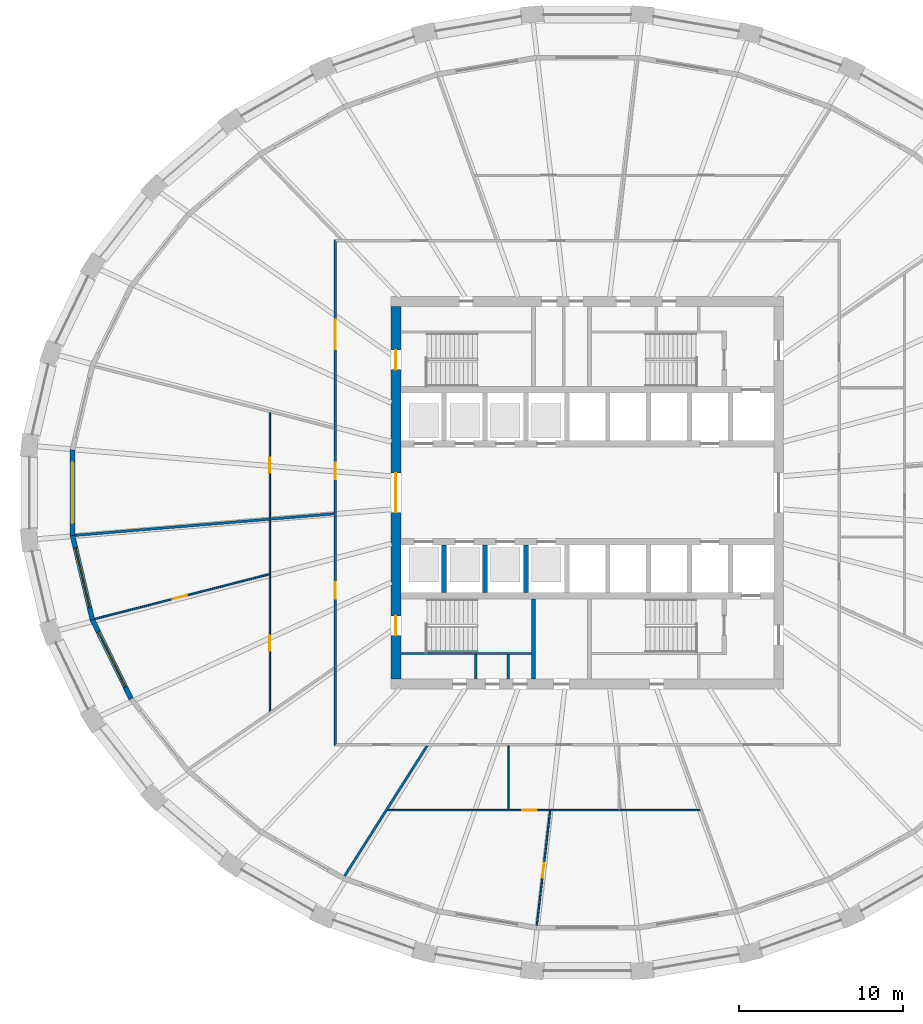
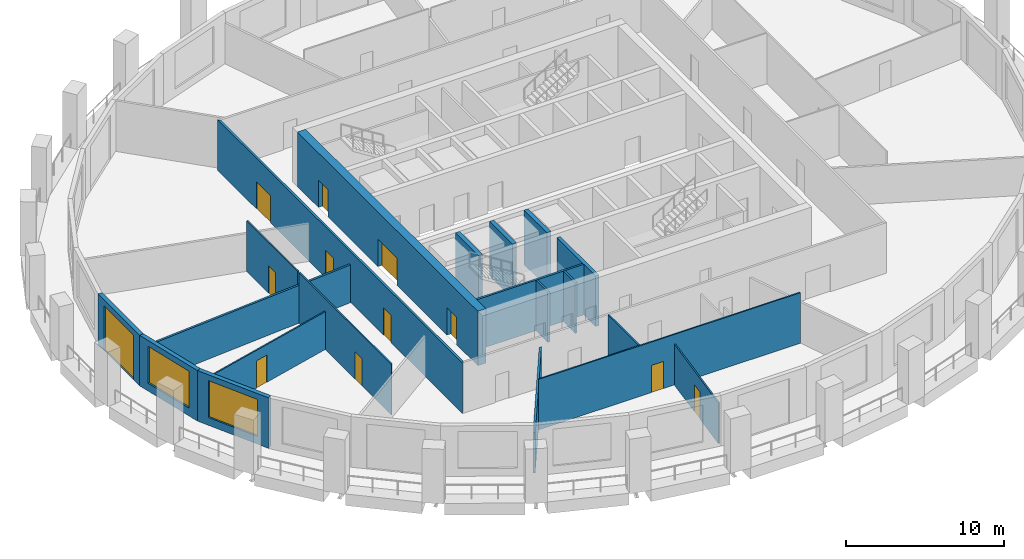
# One storey, part 3 of 11: 20 walls, 12 doors, 2 windows, 14 openings.
"""IFC4 building model written with IfcOpenShell, lengths in metres."""

from ifc_helpers import new_model, si_unit, direction, frame, frame_2d, origin, place, context, subcontext, project, spatial, polyline, rectangle, outline, extrude, material, layer, layer_set, type_object, element, fill, save


model = new_model("IFC4")

# Units and contexts
model_context = context("Model", 3, precision=1e-05, world=origin(), true_north=direction((0.0, 1.0)))
body_context = subcontext(model_context, "Body", "Model", "MODEL_VIEW")
ifc_project = project(units=[si_unit("LENGTHUNIT", "METRE"), si_unit("AREAUNIT", "SQUARE_METRE"), si_unit("VOLUMEUNIT", "CUBIC_METRE"), si_unit("PLANEANGLEUNIT", "RADIAN"), si_unit("MASSUNIT", "GRAM", prefix="KILO")], contexts=[model_context])

# Site, building, storey
site_placement = place(None, origin())
site = spatial("IfcSite", under=ifc_project, at=site_placement, CompositionType="ELEMENT")
building_placement = place(site_placement, origin())
building = spatial("IfcBuilding", under=site, at=building_placement, Name="Halqa Exchange Tower", CompositionType="ELEMENT")
storey_placement = place(building_placement, frame((0.0, 0.0, 146.5)))
storey = spatial("IfcBuildingStorey", under=building, at=storey_placement, Name="L33", CompositionType="ELEMENT", Elevation=146.5)

# Wall
ifc_material_1 = material(Name="Fire-rated gypsum board")
ifc_layer_1 = layer(ifc_material_1, 0.14990234375)
ifc_layer_set_1 = layer_set([ifc_layer_1], Name="Fire-rated gypsum board")
wall_type_1 = type_object("IfcWallType", Name="Fire partition EI 60 150", PredefinedType="PARTITIONING", material=ifc_layer_set_1)
wall_1_placement = place(storey_placement, frame((-31.304931640625, -2.6044921875, 0.0), z_axis=(0.0, 0.0, 1.0), x_axis=(0.996551160003, 0.082980633261, 0.0)))
element("IfcWall", 1, at=wall_1_placement, inside=storey, type_object=wall_type_1, Name="L33-PWL-001", PredefinedType="PARTITIONING", context=body_context, shape_type="SweptSolid", body=[
    extrude(outline(polyline([(0.004638671875, -0.074951171875), (1.9853515625, -0.074951171875), (3.96630859375, -0.074951171875), (5.947265625, -0.074951171875), (7.927978515625, -0.074951171875), (9.908935546875, -0.074951171875), (11.8896484375, -0.074951171875), (11.8896484375, -0.074951171875), (11.890625, -0.074951171875), (13.884521484375, -0.074951171875), (15.87841796875, -0.074951171875), (15.890380859375, 0.068115234375), (15.890380859375, 0.074951171875), (13.904052734375, 0.074951171875), (11.917724609375, 0.074951171875), (9.931396484375, 0.074951171875), (7.9453125, 0.074951171875), (5.958984375, 0.074951171875), (3.97265625, 0.074951171875), (1.986328125, 0.074951171875), (0.0, 0.074951171875), (0.0, -0.044189453125), (0.004638671875, -0.074951171875)])), origin(), (0.0, 0.0, 1.0), 2.909912109375),
])

# Wall, openings, doors
wall_2_placement = place(storey_placement, frame((-15.39990234375, -15.47509765625, 0.0), z_axis=(0.0, 0.0, 1.0), x_axis=(0.0, 1.0, 0.0)))
wall_2 = element("IfcWall", 2, at=wall_2_placement, inside=storey, type_object=wall_type_1, Name="L33-PWL-007", PredefinedType="PARTITIONING", context=body_context, shape_type="SweptSolid", body=[
    extrude(outline(polyline([(0.150146484375, -0.074951171875), (2.065673828125, -0.074951171875), (3.9814453125, -0.074951171875), (5.89697265625, -0.074951171875), (7.8125, -0.074951171875), (9.728271484375, -0.074951171875), (11.643798828125, -0.074951171875), (13.5595703125, -0.074951171875), (15.47509765625, -0.074951171875), (17.390625, -0.074951171875), (19.306396484375, -0.074951171875), (21.221923828125, -0.074951171875), (23.1376953125, -0.074951171875), (25.05322265625, -0.074951171875), (26.96875, -0.074951171875), (28.884521484375, -0.074951171875), (30.800048828125, -0.074951171875), (30.949951171875, 0.074951171875), (29.015625, 0.074951171875), (27.081298828125, 0.074951171875), (25.14697265625, 0.074951171875), (23.21240234375, 0.074951171875), (21.278076171875, 0.074951171875), (19.34375, 0.074951171875), (17.409423828125, 0.074951171875), (15.47509765625, 0.074951171875), (13.540771484375, 0.074951171875), (11.6064453125, 0.074951171875), (9.672119140625, 0.074951171875), (7.73779296875, 0.074951171875), (5.80322265625, 0.074951171875), (3.868896484375, 0.074951171875), (1.9345703125, 0.074951171875), (0.000244140625, 0.074951171875), (0.150146484375, -0.074951171875)])), origin(), (0.0, 0.0, 1.0), 3.89990234375),
])
opening_1_placement = place(wall_2_placement, frame((24.2451171875, 0.0, 0.0)))
opening_1 = element("IfcOpeningElement", 3, at=opening_1_placement, cuts=wall_2, Name="Opening 10-08", PredefinedType="OPENING", context=body_context, shape_type="SweptSolid", body=[
    extrude(rectangle(XDim=1.800048828125, YDim=2.10009765625, at=frame_2d((0.89990234375, 1.050048828125))), frame((0.0, 0.0869140625, 0.0), z_axis=(0.0, -1.0, 0.0), x_axis=(1.0, 0.0, 0.0)), (0.0, 0.0, 1.0), 0.173828125),
])
opening_2_placement = place(wall_2_placement, frame((16.304931640625, 0.0, 0.0)))
opening_2 = element("IfcOpeningElement", 4, at=opening_2_placement, cuts=wall_2, Name="Opening 10-09", PredefinedType="OPENING", context=body_context, shape_type="SweptSolid", body=[
    extrude(rectangle(XDim=1.0, YDim=2.10009765625, at=frame_2d((0.5, 1.050048828125))), frame((0.0, 0.0869140625, 0.0), z_axis=(0.0, -1.0, 0.0), x_axis=(1.0, 0.0, 0.0)), (0.0, 0.0, 1.0), 0.173828125),
])
opening_3_placement = place(wall_2_placement, frame((9.0, 0.0, 0.0)))
opening_3 = element("IfcOpeningElement", 5, at=opening_3_placement, cuts=wall_2, Name="Opening 10-10", PredefinedType="OPENING", context=body_context, shape_type="SweptSolid", body=[
    extrude(rectangle(XDim=1.0, YDim=2.10009765625, at=frame_2d((0.5, 1.050048828125))), frame((0.0, 0.0869140625, 0.0), z_axis=(0.0, -1.0, 0.0), x_axis=(1.0, 0.0, 0.0)), (0.0, 0.0, 1.0), 0.173828125),
])
ifc_material_2 = material(Name="Steel fire door leaf", Category="steel")
door_type_1 = type_object("IfcDoorType", Name="Fire door FD30S 1000 x 2100", OperationType="SINGLE_SWING_LEFT", PredefinedType="DOOR", material=ifc_material_2)
door_1_placement = place(opening_2_placement, origin())
door_1 = element("IfcDoor", 6, at=door_1_placement, inside=storey, type_object=door_type_1, Name="L33-IDR-009", OperationType="SINGLE_SWING_RIGHT", OverallHeight=2.10009765625, OverallWidth=1.0, PredefinedType="DOOR", context=body_context, shape_type="SweptSolid", body=[
    extrude(rectangle(XDim=1.0, YDim=2.10009765625, at=frame_2d((0.5, 1.050048828125))), frame((0.0, 0.02490234375, 0.0), z_axis=(0.0, -1.0, 0.0), x_axis=(1.0, 0.0, 0.0)), (0.0, 0.0, 1.0), 0.050048828125),
])
fill(opening_2, door_1)
door_2_placement = place(opening_3_placement, origin())
door_2 = element("IfcDoor", 7, at=door_2_placement, inside=storey, type_object=door_type_1, Name="L33-IDR-010", OperationType="SINGLE_SWING_LEFT", OverallHeight=2.10009765625, OverallWidth=1.0, PredefinedType="DOOR", context=body_context, shape_type="SweptSolid", body=[
    extrude(rectangle(XDim=1.0, YDim=2.10009765625, at=frame_2d((0.5, 1.050048828125))), frame((0.0, 0.02490234375, 0.0), z_axis=(0.0, -1.0, 0.0), x_axis=(1.0, 0.0, 0.0)), (0.0, 0.0, 1.0), 0.050048828125),
])
fill(opening_3, door_2)
door_type_2 = type_object("IfcDoorType", Name="Fire door FD30S double 1800 x 2100", OperationType="DOUBLE_DOOR_SINGLE_SWING", PredefinedType="DOOR", material=ifc_material_2)
door_3_placement = place(opening_1_placement, origin())
door_3 = element("IfcDoor", 8, at=door_3_placement, inside=storey, type_object=door_type_2, Name="L33-IDR-008", OperationType="DOUBLE_DOOR_SINGLE_SWING", OverallHeight=2.10009765625, OverallWidth=1.800048828125, PredefinedType="DOOR", context=body_context, shape_type="SweptSolid", body=[
    extrude(rectangle(XDim=1.800048828125, YDim=2.10009765625, at=frame_2d((0.89990234375, 1.050048828125))), frame((0.0, 0.02490234375, 0.0), z_axis=(0.0, -1.0, 0.0), x_axis=(1.0, 0.0, 0.0)), (0.0, 0.0, 1.0), 0.050048828125),
])
fill(opening_1, door_3)

# Wall
wall_3_placement = place(storey_placement, frame((-14.836669921875, -23.432373046875, 0.0), z_axis=(0.0, 0.0, 1.0), x_axis=(0.535485065479, 0.844544696655, 0.0)))
element("IfcWall", 9, at=wall_3_placement, inside=storey, type_object=wall_type_1, Name="L33-PWL-011", PredefinedType="PARTITIONING", context=body_context, shape_type="SweptSolid", body=[
    extrude(outline(polyline([(0.020263671875, -0.074951171875), (1.638671875, -0.074951171875), (3.25732421875, -0.074951171875), (4.875732421875, -0.074951171875), (4.879638671875, -0.072509765625), (4.88134765625, -0.074951171875), (6.41064453125, -0.074951171875), (7.939697265625, -0.074951171875), (9.468994140625, -0.074951171875), (9.468994140625, -0.073974609375), (9.37451171875, 0.074951171875), (7.499755859375, 0.074951171875), (5.624755859375, 0.074951171875), (3.749755859375, 0.074951171875), (1.875, 0.074951171875), (0.0, 0.074951171875), (0.0, 0.066162109375), (0.003662109375, -0.003662109375), (0.020263671875, -0.074951171875)])), origin(), (0.0, 0.0, 1.0), 3.14697265625),
])

# Wall, opening, door
ifc_material_3 = material(Name="Gypsum board")
ifc_layer_2 = layer(ifc_material_3, 0.10009765625)
ifc_layer_set_2 = layer_set([ifc_layer_2], Name="Gypsum board")
wall_type_2 = type_object("IfcWallType", Name="Partition 100 gypsum", PredefinedType="PARTITIONING", material=ifc_layer_set_2)
wall_4_placement = place(storey_placement, frame((-19.39990234375, -13.387451171875, 0.0), z_axis=(0.0, 0.0, 1.0), x_axis=(0.0, 1.0, 0.0)))
wall_4 = element("IfcWall", 10, at=wall_4_placement, inside=storey, type_object=wall_type_2, Name="L33-PWL-004", PredefinedType="PARTITIONING", context=body_context, shape_type="SweptSolid", body=[
    extrude(outline(polyline([(11.702880859375, -0.050048828125), (11.702880859375, -0.0458984375), (11.69482421875, 0.050048828125), (10.02783203125, 0.050048828125), (8.360595703125, 0.050048828125), (8.353515625, 0.048095703125), (8.35302734375, 0.050048828125), (6.682373046875, 0.050048828125), (5.01171875, 0.050048828125), (3.34130859375, 0.050048828125), (1.670654296875, 0.050048828125), (0.0, 0.050048828125), (0.0, 0.0498046875), (0.0693359375, -0.050048828125), (2.00830078125, -0.050048828125), (3.947021484375, -0.050048828125), (5.885986328125, -0.050048828125), (7.824951171875, -0.050048828125), (9.763916015625, -0.050048828125), (11.702880859375, -0.050048828125)])), origin(), (0.0, 0.0, 1.0), 3.89990234375),
])
opening_4_placement = place(wall_4_placement, frame((3.732421875, 0.0, 0.0)))
opening_4 = element("IfcOpeningElement", 11, at=opening_4_placement, cuts=wall_4, Name="Opening 10-21", PredefinedType="OPENING", context=body_context, shape_type="SweptSolid", body=[
    extrude(rectangle(XDim=0.89990234375, YDim=2.10009765625, at=frame_2d((0.449951171875, 1.050048828125))), frame((0.0, 0.06201171875, 0.0), z_axis=(0.0, -1.0, 0.0), x_axis=(1.0, 0.0, 0.0)), (0.0, 0.0, 1.0), 0.1240234375),
])
ifc_material_4 = material(Name="Timber door leaf", Category="wood")
door_type_3 = type_object("IfcDoorType", Name="Door 900 x 2100", OperationType="SINGLE_SWING_LEFT", PredefinedType="DOOR", material=ifc_material_4)
door_4_placement = place(opening_4_placement, frame((0.89990234375, 0.0, 0.0), z_axis=(0.0, 0.0, 1.0), x_axis=(-1.0, 0.0, 0.0)))
door_4 = element("IfcDoor", 12, at=door_4_placement, inside=storey, type_object=door_type_3, Name="L33-IDR-021", OperationType="SINGLE_SWING_LEFT", OverallHeight=2.10009765625, OverallWidth=0.89990234375, PredefinedType="DOOR", context=body_context, shape_type="SweptSolid", body=[
    extrude(rectangle(XDim=0.89990234375, YDim=2.10009765625, at=frame_2d((0.449951171875, 1.050048828125))), frame((0.0, 0.02490234375, 0.0), z_axis=(0.0, -1.0, 0.0), x_axis=(1.0, 0.0, 0.0)), (0.0, 0.0, 1.0), 0.050048828125),
])
fill(opening_4, door_4)

wall_5_placement = place(storey_placement, frame((-19.437744140625, -4.979736328125, 0.0), z_axis=(0.0, 0.0, 1.0), x_axis=(-0.968675214927, -0.248331085419, 0.0)))
wall_5 = element("IfcWall", 13, at=wall_5_placement, inside=storey, type_object=wall_type_2, Name="L33-PWL-005", PredefinedType="PARTITIONING", context=body_context, shape_type="SweptSolid", body=[
    extrude(outline(polyline([(11.013916015625, -0.050048828125), (11.013916015625, 0.00244140625), (11.00390625, 0.050048828125), (9.17431640625, 0.050048828125), (7.344482421875, 0.050048828125), (5.5146484375, 0.050048828125), (3.68505859375, 0.050048828125), (1.855224609375, 0.050048828125), (0.025390625, 0.050048828125), (0.0, -0.04931640625), (0.0, -0.050048828125), (1.835693359375, -0.050048828125), (3.67138671875, -0.050048828125), (5.5068359375, -0.050048828125), (7.342529296875, -0.050048828125), (9.17822265625, -0.050048828125), (11.013916015625, -0.050048828125)])), origin(), (0.0, 0.0, 1.0), 2.909912109375),
])
opening_5_placement = place(wall_5_placement, frame((5.18896484375, 0.0, 0.0)))
opening_5 = element("IfcOpeningElement", 14, at=opening_5_placement, cuts=wall_5, Name="Opening 10-22", PredefinedType="OPENING", context=body_context, shape_type="SweptSolid", body=[
    extrude(rectangle(XDim=0.89990234375, YDim=2.10009765625, at=frame_2d((0.449951171875, 1.050048828125))), frame((0.0, 0.06201171875, 0.0), z_axis=(0.0, -1.0, 0.0), x_axis=(1.0, 0.0, 0.0)), (0.0, 0.0, 1.0), 0.1240234375),
])
door_5_placement = place(opening_5_placement, frame((0.89990234375, 0.0, 0.0), z_axis=(0.0, 0.0, 1.0), x_axis=(-1.0, 0.0, 0.0)))
door_5 = element("IfcDoor", 15, at=door_5_placement, inside=storey, type_object=door_type_3, Name="L33-IDR-022", OperationType="SINGLE_SWING_LEFT", OverallHeight=2.10009765625, OverallWidth=0.89990234375, PredefinedType="DOOR", context=body_context, shape_type="SweptSolid", body=[
    extrude(rectangle(XDim=0.89990234375, YDim=2.10009765625, at=frame_2d((0.449951171875, 1.050048828125))), frame((0.0, 0.02490234375, 0.0), z_axis=(0.0, -1.0, 0.0), x_axis=(1.0, 0.0, 0.0)), (0.0, 0.0, 1.0), 0.050048828125),
])
fill(opening_5, door_5)

wall_6_placement = place(storey_placement, frame((-19.39990234375, -1.5419921875, 0.0), z_axis=(0.0, 0.0, 1.0), x_axis=(0.0, 1.0, 0.0)))
wall_6 = element("IfcWall", 16, at=wall_6_placement, inside=storey, type_object=wall_type_2, Name="L33-PWL-006", PredefinedType="PARTITIONING", context=body_context, shape_type="SweptSolid", body=[
    extrude(outline(polyline([(0.00830078125, -0.050048828125), (1.61083984375, -0.050048828125), (3.21337890625, -0.050048828125), (4.81591796875, -0.050048828125), (6.41845703125, -0.050048828125), (6.444091796875, 0.050048828125), (4.8330078125, 0.050048828125), (3.221923828125, 0.050048828125), (1.611083984375, 0.050048828125), (0.0, 0.050048828125), (0.0, 0.049560546875), (0.00830078125, -0.050048828125)])), origin(), (0.0, 0.0, 1.0), 3.89990234375),
])
opening_6_placement = place(wall_6_placement, frame((2.77197265625, 0.0, 0.0)))
opening_6 = element("IfcOpeningElement", 17, at=opening_6_placement, cuts=wall_6, Name="Opening 10-20", PredefinedType="OPENING", context=body_context, shape_type="SweptSolid", body=[
    extrude(rectangle(XDim=0.89990234375, YDim=2.10009765625, at=frame_2d((0.449951171875, 1.050048828125))), frame((0.0, 0.06201171875, 0.0), z_axis=(0.0, -1.0, 0.0), x_axis=(1.0, 0.0, 0.0)), (0.0, 0.0, 1.0), 0.1240234375),
])
door_6_placement = place(opening_6_placement, frame((0.89990234375, 0.0, 0.0), z_axis=(0.0, 0.0, 1.0), x_axis=(-1.0, 0.0, 0.0)))
door_6 = element("IfcDoor", 18, at=door_6_placement, inside=storey, type_object=door_type_3, Name="L33-IDR-020", OperationType="SINGLE_SWING_LEFT", OverallHeight=2.10009765625, OverallWidth=0.89990234375, PredefinedType="DOOR", context=body_context, shape_type="SweptSolid", body=[
    extrude(rectangle(XDim=0.89990234375, YDim=2.10009765625, at=frame_2d((0.449951171875, 1.050048828125))), frame((0.0, 0.02490234375, 0.0), z_axis=(0.0, -1.0, 0.0), x_axis=(1.0, 0.0, 0.0)), (0.0, 0.0, 1.0), 0.050048828125),
])
fill(opening_6, door_6)

wall_7_placement = place(storey_placement, frame((-12.222412109375, -19.39990234375, 0.0), z_axis=(0.0, 0.0, 1.0), x_axis=(1.0, 0.0, 0.0)))
wall_7 = element("IfcWall", 19, at=wall_7_placement, inside=storey, type_object=wall_type_2, Name="L33-PWL-012", PredefinedType="PARTITIONING", context=body_context, shape_type="SweptSolid", body=[
    extrude(outline(polyline([(0.0, -0.050048828125), (1.981201171875, -0.050048828125), (3.96240234375, -0.050048828125), (5.943603515625, -0.050048828125), (7.925048828125, -0.050048828125), (9.90625, -0.050048828125), (9.90625, -0.048828125), (9.916259765625, -0.050048828125), (11.759033203125, -0.050048828125), (13.6015625, -0.050048828125), (15.4443359375, -0.050048828125), (17.287109375, -0.050048828125), (19.1298828125, -0.050048828125), (19.1298828125, -0.049560546875), (19.093994140625, 0.050048828125), (17.463623046875, 0.050048828125), (15.8330078125, 0.050048828125), (14.202392578125, 0.050048828125), (14.202392578125, 0.0498046875), (14.102294921875, 0.0498046875), (14.102294921875, 0.050048828125), (12.4423828125, 0.050048828125), (10.782470703125, 0.050048828125), (9.122314453125, 0.050048828125), (7.46240234375, 0.050048828125), (7.46240234375, 0.0498046875), (7.3623046875, 0.0498046875), (7.3623046875, 0.050048828125), (5.53759765625, 0.050048828125), (3.712646484375, 0.050048828125), (1.887939453125, 0.050048828125), (0.06298828125, 0.050048828125), (0.0, -0.04931640625), (0.0, -0.050048828125)])), origin(), (0.0, 0.0, 1.0), 3.89990234375),
])
opening_7_placement = place(wall_7_placement, frame((8.237548828125, 0.0, 0.0)))
opening_7 = element("IfcOpeningElement", 20, at=opening_7_placement, cuts=wall_7, Name="Opening 10-23", PredefinedType="OPENING", context=body_context, shape_type="SweptSolid", body=[
    extrude(rectangle(XDim=0.89990234375, YDim=2.10009765625, at=frame_2d((0.449951171875, 1.050048828125))), frame((0.0, 0.06201171875, 0.0), z_axis=(0.0, -1.0, 0.0), x_axis=(1.0, 0.0, 0.0)), (0.0, 0.0, 1.0), 0.1240234375),
])
door_7_placement = place(opening_7_placement, origin())
door_7 = element("IfcDoor", 21, at=door_7_placement, inside=storey, type_object=door_type_3, Name="L33-IDR-023", OperationType="SINGLE_SWING_RIGHT", OverallHeight=2.10009765625, OverallWidth=0.89990234375, PredefinedType="DOOR", context=body_context, shape_type="SweptSolid", body=[
    extrude(rectangle(XDim=0.89990234375, YDim=2.10009765625, at=frame_2d((0.449951171875, 1.050048828125))), frame((0.0, 0.02490234375, 0.0), z_axis=(0.0, -1.0, 0.0), x_axis=(1.0, 0.0, 0.0)), (0.0, 0.0, 1.0), 0.050048828125),
])
fill(opening_7, door_7)

# Wall
wall_8_placement = place(storey_placement, frame((-4.81005859375, -19.35009765625, 0.0), z_axis=(0.0, 0.0, 1.0), x_axis=(0.0, 1.0, 0.0)))
element("IfcWall", 22, at=wall_8_placement, inside=storey, type_object=wall_type_2, Name="L33-PWL-015", PredefinedType="PARTITIONING", context=body_context, shape_type="SweptSolid", body=[
    extrude(rectangle(XDim=3.875, YDim=0.10009765625, at=frame_2d((1.9375, 0.0))), origin(), (0.0, 0.0, 1.0), 3.89990234375),
])

# Wall, opening, door
wall_9_placement = place(storey_placement, frame((-2.26513671875, -19.444091796875, 0.0), z_axis=(0.0, 0.0, 1.0), x_axis=(-0.116388626605, -0.993203749287, 0.0)))
wall_9 = element("IfcWall", 23, at=wall_9_placement, inside=storey, type_object=wall_type_2, Name="L33-PWL-016", PredefinedType="PARTITIONING", context=body_context, shape_type="SweptSolid", body=[
    extrude(outline(polyline([(0.01171875, -0.050048828125), (1.769287109375, -0.050048828125), (3.52685546875, -0.050048828125), (5.2841796875, -0.050048828125), (7.041748046875, -0.050048828125), (7.041748046875, -0.048583984375), (7.041748046875, 0.0224609375), (7.03857421875, 0.050048828125), (5.27880859375, 0.050048828125), (3.519287109375, 0.050048828125), (1.759765625, 0.050048828125), (0.0, 0.050048828125), (0.01171875, -0.050048828125)])), origin(), (0.0, 0.0, 1.0), 3.14697265625),
])
opening_8_placement = place(wall_9_placement, frame((3.20068359375, 0.0, 0.0)))
opening_8 = element("IfcOpeningElement", 24, at=opening_8_placement, cuts=wall_9, Name="Opening 10-24", PredefinedType="OPENING", context=body_context, shape_type="SweptSolid", body=[
    extrude(rectangle(XDim=0.89990234375, YDim=2.10009765625, at=frame_2d((0.449951171875, 1.050048828125))), frame((0.0, 0.06201171875, 0.0), z_axis=(0.0, -1.0, 0.0), x_axis=(1.0, 0.0, 0.0)), (0.0, 0.0, 1.0), 0.1240234375),
])
door_8_placement = place(opening_8_placement, frame((0.89990234375, 0.0, 0.0), z_axis=(0.0, 0.0, 1.0), x_axis=(-1.0, 0.0, 0.0)))
door_8 = element("IfcDoor", 25, at=door_8_placement, inside=storey, type_object=door_type_3, Name="L33-IDR-024", OperationType="SINGLE_SWING_RIGHT", OverallHeight=2.10009765625, OverallWidth=0.89990234375, PredefinedType="DOOR", context=body_context, shape_type="SweptSolid", body=[
    extrude(rectangle(XDim=0.89990234375, YDim=2.10009765625, at=frame_2d((0.449951171875, 1.050048828125))), frame((0.0, 0.02490234375, 0.0), z_axis=(0.0, -1.0, 0.0), x_axis=(1.0, 0.0, 0.0)), (0.0, 0.0, 1.0), 0.050048828125),
])
fill(opening_8, door_8)

# Walls
ifc_layer_3 = layer(ifc_material_3, 0.14990234375)
ifc_layer_set_3 = layer_set([ifc_layer_3], Name="Gypsum board")
wall_type_3 = type_object("IfcWallType", Name="Penthouse riser wall 150 gypsum", PredefinedType="PARTITIONING", material=ifc_layer_set_3)
for number, where, z_axis, x_axis, name in (
    (26, (-6.824951171875, -11.39990234375, 0.0), (0.0, 0.0, 1.0), (0.0, 1.0, 0.0), "Partition W6.825 S"),
    (27, (-4.824951171875, -11.39990234375, 0.0), (0.0, 0.0, 1.0), (0.0, 1.0, 0.0), "Partition W4.825 S"),
):
    element("IfcWall", number, at=place(storey_placement, frame(where, z_axis=z_axis, x_axis=x_axis)), inside=storey, type_object=wall_type_3, Name=name, PredefinedType="PARTITIONING", context=body_context, shape_type="SweptSolid", body=[
        extrude(rectangle(XDim=1.5, YDim=0.14990234375, at=frame_2d((0.75, 0.0))), origin(), (0.0, 0.0, 1.0), 3.89990234375),
    ])
ifc_material_5 = material(Name="Concrete C60/75", Category="concrete")
ifc_layer_4 = layer(ifc_material_5, 0.300048828125)
ifc_layer_set_4 = layer_set([ifc_layer_4], Name="Concrete C60/75")
wall_type_4 = type_object("IfcWallType", Name="RC core wall 300", PredefinedType="SHEAR", material=ifc_layer_set_4)
for number, where, z_axis, x_axis, name in (
    (28, (-8.75, -6.10009765625, 0.0), (0.0, 0.0, 1.0), (0.0, 1.0, 0.0), "Shaft divider S1"),
    (29, (-6.25, -6.10009765625, 0.0), (0.0, 0.0, 1.0), (0.0, 1.0, 0.0), "Shaft divider S2"),
    (30, (-3.75, -6.10009765625, 0.0), (0.0, 0.0, 1.0), (0.0, 1.0, 0.0), "Shaft divider S3"),
):
    element("IfcWall", number, at=place(storey_placement, frame(where, z_axis=z_axis, x_axis=x_axis)), inside=storey, type_object=wall_type_4, Name=name, PredefinedType="SHEAR", context=body_context, shape_type="SweptSolid", body=[
        extrude(rectangle(XDim=2.900146484375, YDim=0.300048828125, at=frame_2d((1.4501953125, 0.0))), origin(), (0.0, 0.0, 1.0), 4.199951171875),
    ])

# Wall, openings, doors
ifc_material_6 = material(Name="Concrete C70/85", Category="concrete")
ifc_layer_5 = layer(ifc_material_6, 0.60009765625)
ifc_layer_set_5 = layer_set([ifc_layer_5], Name="Concrete C70/85")
wall_type_5 = type_object("IfcWallType", Name="RC core wall 600 C70/85", PredefinedType="SHEAR", material=ifc_layer_set_5)
wall_10_placement = place(storey_placement, frame((-11.699951171875, -11.39990234375, 0.0), z_axis=(0.0, 0.0, 1.0), x_axis=(0.0, 1.0, 0.0)))
wall_10 = element("IfcWall", 31, at=wall_10_placement, inside=storey, type_object=wall_type_5, Name="Core wall west", PredefinedType="SHEAR", context=body_context, shape_type="SweptSolid", body=[
    extrude(rectangle(XDim=22.7998046875, YDim=0.60009765625, at=frame_2d((11.39990234375, 0.0))), origin(), (0.0, 0.0, 1.0), 4.199951171875),
])
opening_9_placement = place(wall_10_placement, frame((10.199951171875, 0.0, 0.0)))
opening_9 = element("IfcOpeningElement", 32, at=opening_9_placement, cuts=wall_10, Name="Opening T10-C13", PredefinedType="OPENING", context=body_context, shape_type="SweptSolid", body=[
    extrude(rectangle(XDim=2.39990234375, YDim=2.10009765625, at=frame_2d((1.199951171875, 1.050048828125))), frame((0.0, 0.31201171875, 0.0), z_axis=(0.0, -1.0, 0.0), x_axis=(1.0, 0.0, 0.0)), (0.0, 0.0, 1.0), 0.6240234375),
])
opening_10_placement = place(wall_10_placement, frame((18.925048828125, 0.0, 0.0)))
opening_10 = element("IfcOpeningElement", 33, at=opening_10_placement, cuts=wall_10, Name="Opening T10-C15", PredefinedType="OPENING", context=body_context, shape_type="SweptSolid", body=[
    extrude(rectangle(XDim=1.199951171875, YDim=2.10009765625, at=frame_2d((0.60009765625, 1.050048828125))), frame((0.0, 0.31201171875, 0.0), z_axis=(0.0, -1.0, 0.0), x_axis=(1.0, 0.0, 0.0)), (0.0, 0.0, 1.0), 0.6240234375),
])
opening_11_placement = place(wall_10_placement, frame((2.675048828125, 0.0, 0.0)))
opening_11 = element("IfcOpeningElement", 34, at=opening_11_placement, cuts=wall_10, Name="Opening T10-C17", PredefinedType="OPENING", context=body_context, shape_type="SweptSolid", body=[
    extrude(rectangle(XDim=1.199951171875, YDim=2.10009765625, at=frame_2d((0.60009765625, 1.050048828125))), frame((0.0, 0.31201171875, 0.0), z_axis=(0.0, -1.0, 0.0), x_axis=(1.0, 0.0, 0.0)), (0.0, 0.0, 1.0), 0.6240234375),
])
door_type_4 = type_object("IfcDoorType", Name="Lobby double door FD60 2400 x 2100", OperationType="DOUBLE_DOOR_SINGLE_SWING", PredefinedType="DOOR", material=ifc_material_2)
door_9_placement = place(opening_9_placement, frame((2.39990234375, 0.0, 0.0), z_axis=(0.0, 0.0, 1.0), x_axis=(-1.0, 0.0, 0.0)))
door_9 = element("IfcDoor", 35, at=door_9_placement, inside=storey, type_object=door_type_4, Name="Lift lobby double door", OperationType="DOUBLE_DOOR_SINGLE_SWING", OverallHeight=2.10009765625, OverallWidth=2.39990234375, PredefinedType="DOOR", context=body_context, shape_type="SweptSolid", body=[
    extrude(rectangle(XDim=2.39990234375, YDim=2.10009765625, at=frame_2d((1.199951171875, 1.050048828125))), frame((0.0, 0.02490234375, 0.0), z_axis=(0.0, -1.0, 0.0), x_axis=(1.0, 0.0, 0.0)), (0.0, 0.0, 1.0), 0.050048828125),
])
fill(opening_9, door_9)
door_type_5 = type_object("IfcDoorType", Name="Stair door FD90 1200 x 2100", OperationType="SINGLE_SWING_LEFT", PredefinedType="DOOR", material=ifc_material_2)
door_10_placement = place(opening_10_placement, frame((1.199951171875, 0.0, 0.0), z_axis=(0.0, 0.0, 1.0), x_axis=(-1.0, 0.0, 0.0)))
door_10 = element("IfcDoor", 36, at=door_10_placement, inside=storey, type_object=door_type_5, Name="Stair door ST1", OperationType="SINGLE_SWING_RIGHT", OverallHeight=2.10009765625, OverallWidth=1.199951171875, PredefinedType="DOOR", context=body_context, shape_type="SweptSolid", body=[
    extrude(rectangle(XDim=1.199951171875, YDim=2.10009765625, at=frame_2d((0.60009765625, 1.050048828125))), frame((0.0, 0.02490234375, 0.0), z_axis=(0.0, -1.0, 0.0), x_axis=(1.0, 0.0, 0.0)), (0.0, 0.0, 1.0), 0.050048828125),
])
fill(opening_10, door_10)
door_11_placement = place(opening_11_placement, frame((1.199951171875, 0.0, 0.0), z_axis=(0.0, 0.0, 1.0), x_axis=(-1.0, 0.0, 0.0)))
door_11 = element("IfcDoor", 37, at=door_11_placement, inside=storey, type_object=door_type_5, Name="Stair door ST3", OperationType="SINGLE_SWING_RIGHT", OverallHeight=2.10009765625, OverallWidth=1.199951171875, PredefinedType="DOOR", context=body_context, shape_type="SweptSolid", body=[
    extrude(rectangle(XDim=1.199951171875, YDim=2.10009765625, at=frame_2d((0.60009765625, 1.050048828125))), frame((0.0, 0.02490234375, 0.0), z_axis=(0.0, -1.0, 0.0), x_axis=(1.0, 0.0, 0.0)), (0.0, 0.0, 1.0), 0.050048828125),
])
fill(opening_11, door_11)

# Walls
ifc_material_7 = material(Name="Concrete C30/37", Category="concrete")
ifc_layer_6 = layer(ifc_material_7, 0.14990234375)
ifc_layer_set_6 = layer_set([ifc_layer_6], Name="Concrete C30/37")
wall_type_6 = type_object("IfcWallType", Name="RC stair wall 150 C30/37", PredefinedType="SHEAR", material=ifc_layer_set_6)
wall_11_placement = place(storey_placement, frame((-11.39990234375, -9.824951171875, 0.0), z_axis=(0.0, 0.0, 1.0), x_axis=(1.0, 0.0, 0.0)))
element("IfcWall", 38, at=wall_11_placement, inside=storey, type_object=wall_type_6, Name="Stair ST1 north wall S", PredefinedType="SHEAR", context=body_context, shape_type="SweptSolid", body=[
    extrude(rectangle(XDim=8.0, YDim=0.14990234375, at=frame_2d((4.0, 0.0))), origin(), (0.0, 0.0, 1.0), 3.89990234375),
])
ifc_layer_7 = layer(ifc_material_7, 0.25)
ifc_layer_set_7 = layer_set([ifc_layer_7], Name="Concrete C30/37")
wall_type_7 = type_object("IfcWallType", Name="RC stair wall 250 C30/37", PredefinedType="SHEAR", material=ifc_layer_set_7)
wall_12_placement = place(storey_placement, frame((-3.27490234375, -11.39990234375, 0.0), z_axis=(0.0, 0.0, 1.0), x_axis=(0.0, 1.0, 0.0)))
element("IfcWall", 39, at=wall_12_placement, inside=storey, type_object=wall_type_7, Name="Stair ST1 east wall S", PredefinedType="SHEAR", context=body_context, shape_type="SweptSolid", body=[
    extrude(rectangle(XDim=4.89990234375, YDim=0.25, at=frame_2d((2.449951171875, 0.0))), origin(), (0.0, 0.0, 1.0), 3.89990234375),
])

# Wall, opening, door
ifc_material_8 = material(Name="Limestone cladding", Category="masonry")
ifc_layer_8 = layer(ifc_material_8, 0.0400390625)
ifc_material_9 = material(Name="Ventilated cavity")
ifc_layer_9 = layer(ifc_material_9, 0.030029296875, ventilated=True)
ifc_material_10 = material(Name="Mineral wool insulation")
ifc_layer_10 = layer(ifc_material_10, 0.10009765625)
ifc_layer_11 = layer(ifc_material_7, 0.10009765625)
ifc_material_11 = material(Name="Internal plaster")
ifc_layer_12 = layer(ifc_material_11, 0.030029296875)
ifc_layer_set_8 = layer_set([ifc_layer_8, ifc_layer_9, ifc_layer_10, ifc_layer_11, ifc_layer_12], Name="Stone-faced insulated wall 300")
wall_type_8 = type_object("IfcWallType", Name="Stone-faced insulated wall 300", PredefinedType="STANDARD", material=ifc_layer_set_8)
wall_13_placement = place(storey_placement, frame((-31.461669921875, 2.62158203125, 0.0), z_axis=(0.0, 0.0, 1.0), x_axis=(0.0, -1.0, 0.0)))
wall_13 = element("IfcWall", 40, at=wall_13_placement, inside=storey, type_object=wall_type_8, Name="Glass-line wall 16", PredefinedType="STANDARD", context=body_context, shape_type="SweptSolid", body=[
    extrude(outline(polyline([(-0.017333984375, -0.14990234375), (5.260498046875, -0.14990234375), (5.225830078125, 0.14990234375), (0.017333984375, 0.14990234375), (-0.017333984375, -0.14990234375)])), origin(), (0.0, 0.0, 1.0), 3.89990234375),
])
opening_12_placement = place(wall_13_placement, frame((0.74658203125, 0.0, 0.0)))
opening_12 = element("IfcOpeningElement", 41, at=opening_12_placement, cuts=wall_13, Name="Opening LG-F2-04", PredefinedType="OPENING", context=body_context, shape_type="SweptSolid", body=[
    extrude(rectangle(XDim=3.75, YDim=3.449951171875, at=frame_2d((1.875, 1.72509765625))), frame((0.0, 0.162109375, 0.0), z_axis=(0.0, -1.0, 0.0), x_axis=(1.0, 0.0, 0.0)), (0.0, 0.0, 1.0), 0.323974609375),
])
ifc_material_12 = material(Name="Clear low-emissivity glass in aluminium frame", Category="aluminium")
door_type_6 = type_object("IfcDoorType", Name="Glazed sliding loggia door 3750 x 3450", OperationType="DOUBLE_DOOR_SLIDING", PredefinedType="DOOR", material=ifc_material_12)
door_12_placement = place(opening_12_placement, origin())
door_12 = element("IfcDoor", 42, at=door_12_placement, inside=storey, type_object=door_type_6, Name="Loggia door 4", OperationType="DOUBLE_DOOR_SLIDING", OverallHeight=3.449951171875, OverallWidth=3.75, PredefinedType="DOOR", context=body_context, shape_type="SweptSolid", body=[
    extrude(rectangle(XDim=3.75, YDim=3.449951171875, at=frame_2d((1.875, 1.72509765625))), frame((0.0, 0.02490234375, 0.0), z_axis=(0.0, -1.0, 0.0), x_axis=(1.0, 0.0, 0.0)), (0.0, 0.0, 1.0), 0.050048828125),
])
fill(opening_12, door_12)

# Wall, opening, window
wall_14_placement = place(storey_placement, frame((-31.461669921875, -2.62158203125, 0.0), z_axis=(0.0, 0.0, 1.0), x_axis=(0.229289208312, -0.973358340464, 0.0)))
wall_14 = element("IfcWall", 43, at=wall_14_placement, inside=storey, type_object=wall_type_8, Name="Glass-line wall 17", PredefinedType="STANDARD", context=body_context, shape_type="SweptSolid", body=[
    extrude(outline(polyline([(-0.017333984375, -0.14990234375), (5.299072265625, -0.14990234375), (5.265380859375, 0.14990234375), (0.017333984375, 0.14990234375), (-0.017333984375, -0.14990234375)])), origin(), (0.0, 0.0, 1.0), 3.89990234375),
])
opening_13_placement = place(wall_14_placement, frame((0.76611328125, 0.0, 0.60009765625)))
opening_13 = element("IfcOpeningElement", 44, at=opening_13_placement, cuts=wall_14, Name="Opening W-F2-17", PredefinedType="OPENING", context=body_context, shape_type="SweptSolid", body=[
    extrude(rectangle(XDim=3.75, YDim=2.85009765625, at=frame_2d((1.875, 1.425048828125))), frame((0.0, 0.162109375, 0.0), z_axis=(0.0, -1.0, 0.0), x_axis=(1.0, 0.0, 0.0)), (0.0, 0.0, 1.0), 0.323974609375),
])
window_type = type_object("IfcWindowType", Name="Fixed clear glazed window 3750 x 2850", PartitioningType="TRIPLE_PANEL_VERTICAL", PredefinedType="WINDOW", material=ifc_material_12)
window_1_placement = place(opening_13_placement, origin())
window_1 = element("IfcWindow", 45, at=window_1_placement, inside=storey, type_object=window_type, Name="Window 2", OverallHeight=2.85009765625, OverallWidth=3.75, PartitioningType="TRIPLE_PANEL_VERTICAL", PredefinedType="WINDOW", context=body_context, shape_type="SweptSolid", body=[
    extrude(rectangle(XDim=3.75, YDim=2.85009765625, at=frame_2d((1.875, 1.425048828125))), frame((0.0, 0.030029296875, 0.0), z_axis=(0.0, -1.0, 0.0), x_axis=(1.0, 0.0, 0.0)), (0.0, 0.0, 1.0), 0.06005859375),
])
fill(opening_13, window_1)

wall_15_placement = place(storey_placement, frame((-30.25048828125, -7.76318359375, 0.0), z_axis=(0.0, 0.0, 1.0), x_axis=(0.440373354088, -0.897814740918, 0.0)))
wall_15 = element("IfcWall", 46, at=wall_15_placement, inside=storey, type_object=wall_type_8, Name="Glass-line wall 18", PredefinedType="STANDARD", context=body_context, shape_type="SweptSolid", body=[
    extrude(outline(polyline([(-0.016845703125, -0.14990234375), (5.40869140625, -0.14990234375), (5.37646484375, 0.14990234375), (0.016845703125, 0.14990234375), (-0.016845703125, -0.14990234375)])), origin(), (0.0, 0.0, 1.0), 3.89990234375),
])
opening_14_placement = place(wall_15_placement, frame((0.8212890625, 0.0, 0.60009765625)))
opening_14 = element("IfcOpeningElement", 47, at=opening_14_placement, cuts=wall_15, Name="Opening W-F2-18", PredefinedType="OPENING", context=body_context, shape_type="SweptSolid", body=[
    extrude(rectangle(XDim=3.75, YDim=2.85009765625, at=frame_2d((1.875, 1.425048828125))), frame((0.0, 0.162109375, 0.0), z_axis=(0.0, -1.0, 0.0), x_axis=(1.0, 0.0, 0.0)), (0.0, 0.0, 1.0), 0.323974609375),
])
window_2_placement = place(opening_14_placement, origin())
window_2 = element("IfcWindow", 48, at=window_2_placement, inside=storey, type_object=window_type, Name="Window 2", OverallHeight=2.85009765625, OverallWidth=3.75, PartitioningType="TRIPLE_PANEL_VERTICAL", PredefinedType="WINDOW", context=body_context, shape_type="SweptSolid", body=[
    extrude(rectangle(XDim=3.75, YDim=2.85009765625, at=frame_2d((1.875, 1.425048828125))), frame((0.0, 0.030029296875, 0.0), z_axis=(0.0, -1.0, 0.0), x_axis=(1.0, 0.0, 0.0)), (0.0, 0.0, 1.0), 0.06005859375),
])
fill(opening_14, window_2)

save(model, "model.ifc")
